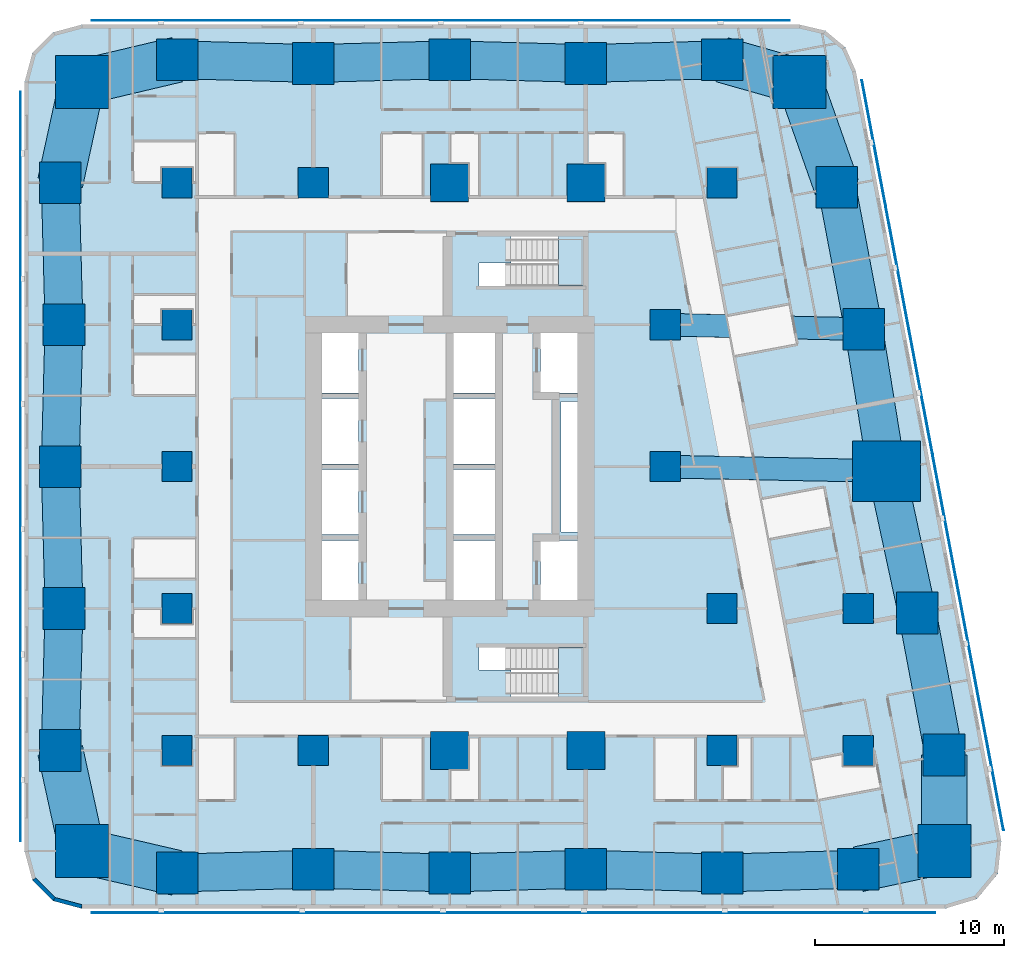
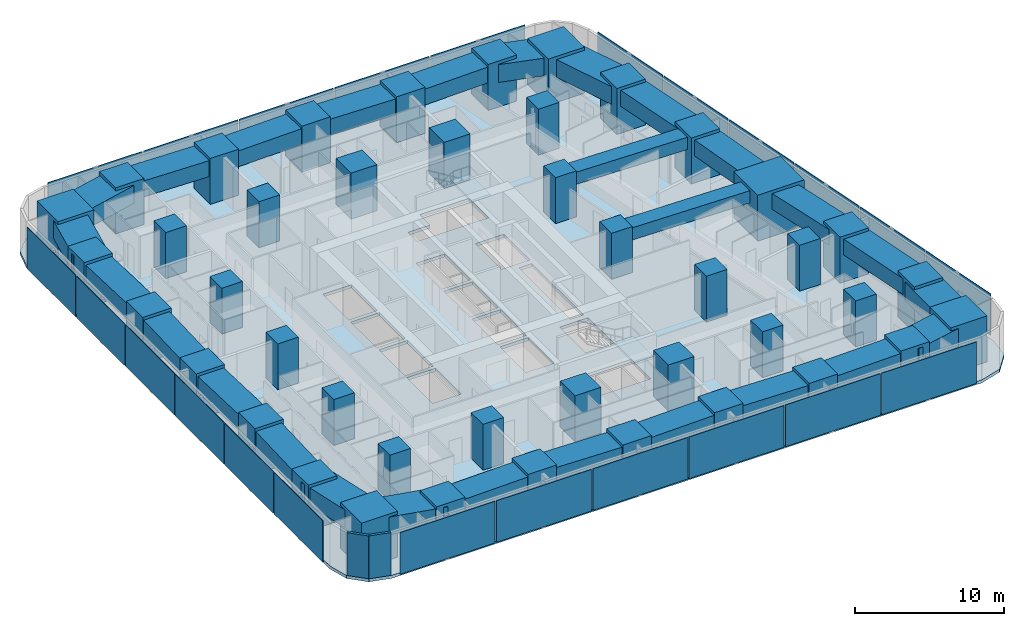
# One storey, part 1 of 15: 43 columns, 27 beams, 23 plates, 3 slabs, 2 walls, 2 elements without a shape of their own.
"""IFC4 building model written with IfcOpenShell, lengths in metres."""

from ifc_helpers import new_model, si_unit, direction, frame, frame_2d, origin, origin_2d, place, context, subcontext, project, spatial, polyline, rectangle, outline, extrude, material, layer, layer_set, material_profile, profile_set, type_object, element, aggregate, save


model = new_model("IFC4")

# Units and contexts
model_context = context("Model", 3, precision=1e-05, world=origin(), true_north=direction((0.0, 1.0)))
body_context = subcontext(model_context, "Body", "Model", "MODEL_VIEW")
ifc_project = project(units=[si_unit("LENGTHUNIT", "METRE"), si_unit("AREAUNIT", "SQUARE_METRE"), si_unit("VOLUMEUNIT", "CUBIC_METRE"), si_unit("PLANEANGLEUNIT", "RADIAN"), si_unit("MASSUNIT", "GRAM", prefix="KILO")], contexts=[model_context])

# Site, building, storey
site_placement = place(None, origin())
site = spatial("IfcSite", under=ifc_project, at=site_placement, CompositionType="ELEMENT")
building_placement = place(site_placement, origin())
building = spatial("IfcBuilding", under=site, at=building_placement, Name="Sheger Commons Tower", CompositionType="ELEMENT")
storey_placement = place(building_placement, frame((0.0, 0.0, 77.89990234375)))
storey = spatial("IfcBuildingStorey", under=building, at=storey_placement, Name="L19", CompositionType="ELEMENT", Elevation=77.89990234375)

# Columns
ifc_material_1 = material(Name="Concrete C50/60", Category="concrete")
ifc_material_profile_1 = material_profile(ifc_material_1, rectangle(XDim=3.60009765625, YDim=3.199951171875, at=origin_2d()), Name="RC 3600x3200")
ifc_profile_set_1 = profile_set([ifc_material_profile_1], Name="Concrete C50/60")
column_type_1 = type_object("IfcColumnType", Name="COLUMN PIER RC 3600x3200", PredefinedType="COLUMN", material=ifc_profile_set_1)
column_placement = place(storey_placement, frame((44.697021484375, 22.262939453125, 0.0), z_axis=(0.0, 0.0, 1.0), x_axis=(1.0, 0.0, 0.0)))
element("IfcColumn", 1, at=column_placement, inside=storey, type_object=column_type_1, Name="Pier 7/D+E/D L19", PredefinedType="COLUMN", context=body_context, shape_type="SweptSolid", body=[
    extrude(rectangle(XDim=3.60009765625, YDim=3.199951171875, at=origin_2d()), origin(), (0.0, 0.0, 1.0), 3.75),
])
ifc_material_2 = material(Name="Concrete C50/60", Category="concrete")
ifc_material_profile_2 = material_profile(ifc_material_2, rectangle(XDim=1.60009765625, YDim=1.60009765625, at=origin_2d()), Name="RC 1600x1600")
ifc_profile_set_2 = profile_set([ifc_material_profile_2], Name="Concrete C50/60")
column_type_2 = type_object("IfcColumnType", Name="COLUMN RC 1600x1600", PredefinedType="COLUMN", material=ifc_profile_set_2)
for number, where, z_axis, x_axis, name in (
    (2, (7.199951171875, 7.5, 0.0), (0.0, 0.0, 1.0), (1.0, 0.0, 0.0), "Column 2/B L19"),
    (3, (14.39990234375, 7.5, 0.0), (0.0, 0.0, 1.0), (1.0, 0.0, 0.0), "Column 3/B L19"),
    (4, (36.0, 7.5, 0.0), (0.0, 0.0, 1.0), (1.0, 0.0, 0.0), "Column 6/B L19"),
    (5, (43.199951171875, 7.5, 0.0), (0.0, 0.0, 1.0), (1.0, 0.0, 0.0), "Column 7/B L19"),
    (6, (7.199951171875, 15.0, 0.0), (0.0, 0.0, 1.0), (1.0, 0.0, 0.0), "Column 2/C L19"),
    (7, (36.0, 15.0, 0.0), (0.0, 0.0, 1.0), (1.0, 0.0, 0.0), "Column 6/C L19"),
    (8, (43.199951171875, 15.0, 0.0), (0.0, 0.0, 1.0), (1.0, 0.0, 0.0), "Column 7/C L19"),
    (9, (7.199951171875, 22.5, 0.0), (0.0, 0.0, 1.0), (1.0, 0.0, 0.0), "Column 2/D L19"),
    (10, (33.0, 22.5, 0.0), (0.0, 0.0, 1.0), (1.0, 0.0, 0.0), "Column 6-3000/D L19"),
    (11, (7.199951171875, 30.0, 0.0), (0.0, 0.0, 1.0), (1.0, 0.0, 0.0), "Column 2/E L19"),
    (12, (33.0, 30.0, 0.0), (0.0, 0.0, 1.0), (1.0, 0.0, 0.0), "Column 6-3000/E L19"),
    (13, (7.199951171875, 37.5, 0.0), (0.0, 0.0, 1.0), (1.0, 0.0, 0.0), "Column 2/F L19"),
    (14, (14.39990234375, 37.5, 0.0), (0.0, 0.0, 1.0), (1.0, 0.0, 0.0), "Column 3/F L19"),
    (15, (36.0, 37.5, 0.0), (0.0, 0.0, 1.0), (1.0, 0.0, 0.0), "Column 6/F L19"),
):
    element("IfcColumn", number, at=place(storey_placement, frame(where, z_axis=z_axis, x_axis=x_axis)), inside=storey, type_object=column_type_2, Name=name, PredefinedType="COLUMN", context=body_context, shape_type="SweptSolid", body=[
        extrude(rectangle(XDim=1.60009765625, YDim=1.60009765625, at=origin_2d()), origin(), (0.0, 0.0, 1.0), 3.75),
    ])
ifc_material_3 = material(Name="Concrete C50/60", Category="concrete")
ifc_material_profile_3 = material_profile(ifc_material_3, rectangle(XDim=2.0, YDim=2.0, at=origin_2d()), Name="RC 2000x2000")
ifc_profile_set_3 = profile_set([ifc_material_profile_3], Name="Concrete C50/60")
column_type_3 = type_object("IfcColumnType", Name="COLUMN RC 2000x2000", PredefinedType="COLUMN", material=ifc_profile_set_3)
for number, where, z_axis, x_axis, name in (
    (16, (21.60009765625, 7.5, 0.0), (0.0, 0.0, 1.0), (1.0, 0.0, 0.0), "Column 4/B L19"),
    (17, (28.800048828125, 7.5, 0.0), (0.0, 0.0, 1.0), (1.0, 0.0, 0.0), "Column 5/B L19"),
    (18, (21.60009765625, 37.5, 0.0), (0.0, 0.0, 1.0), (1.0, 0.0, 0.0), "Column 4/F L19"),
    (19, (28.800048828125, 37.5, 0.0), (0.0, 0.0, 1.0), (1.0, 0.0, 0.0), "Column 5/F L19"),
):
    element("IfcColumn", number, at=place(storey_placement, frame(where, z_axis=z_axis, x_axis=x_axis)), inside=storey, type_object=column_type_3, Name=name, PredefinedType="COLUMN", context=body_context, shape_type="SweptSolid", body=[
        extrude(rectangle(XDim=2.0, YDim=2.0, at=origin_2d()), origin(), (0.0, 0.0, 1.0), 3.75),
    ])
ifc_material_4 = material(Name="Concrete C50/60", Category="concrete")
ifc_material_profile_4 = material_profile(ifc_material_4, rectangle(XDim=2.199951171875, YDim=2.199951171875, at=origin_2d()), Name="RC 2200x2200")
ifc_profile_set_4 = profile_set([ifc_material_profile_4], Name="Concrete C50/60")
column_type_4 = type_object("IfcColumnType", Name="COLUMN RC 2200x2200", PredefinedType="COLUMN", material=ifc_profile_set_4)
for number, where, z_axis, x_axis, name in (
    (20, (7.199951171875, 1.02490234375, 0.0), (0.0, 0.0, 1.0), (1.0, 0.0, 0.0), "Column 2/A L19"),
    (21, (14.39990234375, 1.22509765625, 0.0), (0.0, 0.0, 1.0), (1.0, 0.0, 0.0), "Column 3/A L19"),
    (22, (21.60009765625, 1.02490234375, 0.0), (0.0, 0.0, 1.0), (1.0, 0.0, 0.0), "Column 4/A L19"),
    (23, (28.800048828125, 1.22509765625, 0.0), (0.0, 0.0, 1.0), (1.0, 0.0, 0.0), "Column 5/A L19"),
    (24, (36.0, 1.02490234375, 0.0), (0.0, 0.0, 1.0), (1.0, 0.0, 0.0), "Column 6/A L19"),
    (25, (43.199951171875, 1.22509765625, 0.0), (0.0, 0.0, 1.0), (1.0, 0.0, 0.0), "Column 7/A L19"),
    (26, (1.02490234375, 7.5, 0.0), (0.0, 0.0, 1.0), (1.0, 0.0, 0.0), "Column 1/B L19"),
    (27, (47.72998046875, 7.262939453125, 0.0), (0.0, 0.0, 1.0), (1.0, 0.0, 0.0), "Column E/B L19"),
    (28, (1.22509765625, 15.0, 0.0), (0.0, 0.0, 1.0), (1.0, 0.0, 0.0), "Column 1/C L19"),
    (29, (46.31396484375, 14.762939453125, 0.0), (0.0, 0.0, 1.0), (1.0, 0.0, 0.0), "Column E/C L19"),
    (30, (1.02490234375, 22.5, 0.0), (0.0, 0.0, 1.0), (1.0, 0.0, 0.0), "Column 1/D L19"),
    (31, (1.22509765625, 30.0, 0.0), (0.0, 0.0, 1.0), (1.0, 0.0, 0.0), "Column 1/E L19"),
    (32, (43.47998046875, 29.762939453125, 0.0), (0.0, 0.0, 1.0), (1.0, 0.0, 0.0), "Column E/E L19"),
    (33, (1.02490234375, 37.5, 0.0), (0.0, 0.0, 1.0), (1.0, 0.0, 0.0), "Column 1/F L19"),
    (34, (42.06396484375, 37.262939453125, 0.0), (0.0, 0.0, 1.0), (1.0, 0.0, 0.0), "Column E/F L19"),
    (35, (7.199951171875, 44.0, 0.0), (0.0, 0.0, 1.0), (1.0, 0.0, 0.0), "Column 2/G L19"),
    (36, (14.39990234375, 43.800048828125, 0.0), (0.0, 0.0, 1.0), (1.0, 0.0, 0.0), "Column 3/G L19"),
    (37, (21.60009765625, 44.0, 0.0), (0.0, 0.0, 1.0), (1.0, 0.0, 0.0), "Column 4/G L19"),
    (38, (28.800048828125, 43.800048828125, 0.0), (0.0, 0.0, 1.0), (1.0, 0.0, 0.0), "Column 5/G L19"),
    (39, (36.0, 44.0, 0.0), (0.0, 0.0, 1.0), (1.0, 0.0, 0.0), "Column 6/G L19"),
):
    element("IfcColumn", number, at=place(storey_placement, frame(where, z_axis=z_axis, x_axis=x_axis)), inside=storey, type_object=column_type_4, Name=name, PredefinedType="COLUMN", context=body_context, shape_type="SweptSolid", body=[
        extrude(rectangle(XDim=2.199951171875, YDim=2.199951171875, at=origin_2d()), origin(), (0.0, 0.0, 1.0), 3.75),
    ])
ifc_material_5 = material(Name="Concrete C50/60", Category="concrete")
ifc_material_profile_5 = material_profile(ifc_material_5, rectangle(XDim=2.800048828125, YDim=2.800048828125, at=origin_2d()), Name="RC 2800x2800")
ifc_profile_set_5 = profile_set([ifc_material_profile_5], Name="Concrete C50/60")
column_type_5 = type_object("IfcColumnType", Name="COLUMN RC 2800x2800", PredefinedType="COLUMN", material=ifc_profile_set_5)
for number, where, z_axis, x_axis, name in (
    (40, (2.18603515625, 2.18603515625, 0.0), (0.0, 0.0, 1.0), (1.0, 0.0, 0.0), "Column 0.630,0.630 L19"),
    (41, (47.748046875, 2.197021484375, 0.0), (0.0, 0.0, 1.0), (1.0, 0.0, 0.0), "Column 49.461,0.778 L19"),
    (42, (2.18603515625, 42.81396484375, 0.0), (0.0, 0.0, 1.0), (1.0, 0.0, 0.0), "Column 0.630,44.370 L19"),
    (43, (40.10205078125, 42.830078125, 0.0), (0.0, 0.0, 1.0), (1.0, 0.0, 0.0), "Column 41.490,44.505 L19"),
):
    element("IfcColumn", number, at=place(storey_placement, frame(where, z_axis=z_axis, x_axis=x_axis)), inside=storey, type_object=column_type_5, Name=name, PredefinedType="COLUMN", context=body_context, shape_type="SweptSolid", body=[
        extrude(rectangle(XDim=2.800048828125, YDim=2.800048828125, at=origin_2d()), origin(), (0.0, 0.0, 1.0), 3.75),
    ])

# Beams
ifc_material_6 = material(Name="Concrete C50/60", Category="concrete")
ifc_material_profile_6 = material_profile(ifc_material_6, rectangle(XDim=1.199951171875, YDim=1.0, at=origin_2d()), Name="RC 1200x1000")
ifc_profile_set_6 = profile_set([ifc_material_profile_6], Name="Concrete C50/60")
beam_type_1 = type_object("IfcBeamType", Name="BEAM RC 1200x1000", PredefinedType="BEAM", material=ifc_profile_set_6)
beam_1_placement = place(storey_placement, frame((33.0, 22.5, 3.0), z_axis=(0.999794692776, -0.02026258368, 0.0), x_axis=(0.02026258368, 0.999794692776, 0.0)))
element("IfcBeam", 44, at=beam_1_placement, inside=storey, type_object=beam_type_1, Name="Beam 6-3000/D-7/D under L20", PredefinedType="BEAM", context=body_context, shape_type="SweptSolid", body=[
    extrude(rectangle(XDim=1.199951171875, YDim=1.0, at=origin_2d()), origin(), (0.0, 0.0, 1.0), 11.699462890625),
])
beam_2_placement = place(storey_placement, frame((33.0, 30.0, 3.0), z_axis=(0.999744258625, -0.022614538395, 0.0), x_axis=(0.022614538395, 0.999744258625, 0.0)))
element("IfcBeam", 45, at=beam_2_placement, inside=storey, type_object=beam_type_1, Name="Beam 6-3000/E-E/E under L20", PredefinedType="BEAM", context=body_context, shape_type="SweptSolid", body=[
    extrude(rectangle(XDim=1.199951171875, YDim=1.0, at=origin_2d()), origin(), (0.0, 0.0, 1.0), 10.482666015625),
])
ifc_material_7 = material(Name="Concrete C50/60", Category="concrete")
ifc_material_profile_7 = material_profile(ifc_material_7, rectangle(XDim=2.0, YDim=1.300048828125, at=origin_2d()), Name="RC 2000x1300")
ifc_profile_set_7 = profile_set([ifc_material_profile_7], Name="Concrete C50/60")
beam_type_2 = type_object("IfcBeamType", Name="SPANDREL RC 2000x1300", PredefinedType="SPANDREL", material=ifc_profile_set_7)
beam_3_placement = place(storey_placement, frame((7.199951171875, 1.02490234375, 2.85009765625), z_axis=(0.9996136624, 0.027794350926, 0.0), x_axis=(-0.027794350926, 0.9996136624, 0.0)))
element("IfcBeam", 46, at=beam_3_placement, inside=storey, type_object=beam_type_2, Name="Beam 2/A-3/A under L20", PredefinedType="SPANDREL", context=body_context, shape_type="SweptSolid", body=[
    extrude(rectangle(XDim=2.0, YDim=1.300048828125, at=origin_2d()), origin(), (0.0, 0.0, 1.0), 7.20263671875),
])
beam_4_placement = place(storey_placement, frame((14.39990234375, 1.22509765625, 2.85009765625), z_axis=(0.999613688584, -0.027793409217, 0.0), x_axis=(0.027793409217, 0.999613688584, 0.0)))
element("IfcBeam", 47, at=beam_4_placement, inside=storey, type_object=beam_type_2, Name="Beam 3/A-4/A under L20", PredefinedType="SPANDREL", context=body_context, shape_type="SweptSolid", body=[
    extrude(rectangle(XDim=2.0, YDim=1.300048828125, at=origin_2d()), origin(), (0.0, 0.0, 1.0), 7.202880859375),
])
for number, where, z_axis, x_axis, name in (
    (48, (21.60009765625, 1.02490234375, 2.85009765625), (0.9996136624, 0.027794350926, 0.0), (-0.027794350926, 0.9996136624, 0.0), "Beam 4/A-5/A under L20"),
    (49, (28.800048828125, 1.22509765625, 2.85009765625), (0.9996136624, -0.027794350926, 0.0), (0.027794350926, 0.9996136624, 0.0), "Beam 5/A-6/A under L20"),
    (50, (36.0, 1.02490234375, 2.85009765625), (0.9996136624, 0.027794350926, 0.0), (-0.027794350926, 0.9996136624, 0.0), "Beam 6/A-7/A under L20"),
):
    element("IfcBeam", number, at=place(storey_placement, frame(where, z_axis=z_axis, x_axis=x_axis)), inside=storey, type_object=beam_type_2, Name=name, PredefinedType="SPANDREL", context=body_context, shape_type="SweptSolid", body=[
        extrude(rectangle(XDim=2.0, YDim=1.300048828125, at=origin_2d()), origin(), (0.0, 0.0, 1.0), 7.20263671875),
    ])
beam_5_placement = place(storey_placement, frame((47.72998046875, 7.262939453125, 2.85009765625), z_axis=(-0.18552441405, 0.982639655108, 0.0), x_axis=(-0.982639655108, -0.18552441405, 0.0)))
element("IfcBeam", 51, at=beam_5_placement, inside=storey, type_object=beam_type_2, Name="Beam E/B-E/C under L20", PredefinedType="SPANDREL", context=body_context, shape_type="SweptSolid", body=[
    extrude(rectangle(XDim=2.0, YDim=1.300048828125, at=origin_2d()), origin(), (0.0, 0.0, 1.0), 7.632568359375),
])
beam_6_placement = place(storey_placement, frame((46.31396484375, 14.762939453125, 2.85009765625), z_axis=(-0.210750229323, 0.977539943348, 0.0), x_axis=(-0.977539943348, -0.210750229323, 0.0)))
element("IfcBeam", 52, at=beam_6_placement, inside=storey, type_object=beam_type_2, Name="Beam E/C-E/D under L20", PredefinedType="SPANDREL", context=body_context, shape_type="SweptSolid", body=[
    extrude(rectangle(XDim=2.0, YDim=1.300048828125, at=origin_2d()), origin(), (0.0, 0.0, 1.0), 7.67236328125),
])
beam_7_placement = place(storey_placement, frame((44.697021484375, 22.262939453125, 2.85009765625), z_axis=(-0.160176929512, 0.987088319884, 0.0), x_axis=(-0.987088319884, -0.160176929512, 0.0)))
element("IfcBeam", 53, at=beam_7_placement, inside=storey, type_object=beam_type_2, Name="Beam E/D-E/E under L20", PredefinedType="SPANDREL", context=body_context, shape_type="SweptSolid", body=[
    extrude(rectangle(XDim=2.0, YDim=1.300048828125, at=origin_2d()), origin(), (0.0, 0.0, 1.0), 7.59814453125),
])
beam_8_placement = place(storey_placement, frame((43.47998046875, 29.762939453125, 2.85009765625), z_axis=(-0.18552441405, 0.982639655108, 0.0), x_axis=(-0.982639655108, -0.18552441405, 0.0)))
element("IfcBeam", 54, at=beam_8_placement, inside=storey, type_object=beam_type_2, Name="Beam E/E-E/F under L20", PredefinedType="SPANDREL", context=body_context, shape_type="SweptSolid", body=[
    extrude(rectangle(XDim=2.0, YDim=1.300048828125, at=origin_2d()), origin(), (0.0, 0.0, 1.0), 7.632568359375),
])
for number, where, z_axis, x_axis, name in (
    (55, (36.0, 44.0, 2.85009765625), (-0.999614603568, -0.027760481514, 0.0), (0.027760481514, -0.999614603568, 0.0), "Beam 6/G-5/G under L20"),
    (56, (28.800048828125, 43.800048828125, 2.85009765625), (-0.999614603568, 0.027760481514, 0.0), (-0.027760481514, -0.999614603568, 0.0), "Beam 5/G-4/G under L20"),
):
    element("IfcBeam", number, at=place(storey_placement, frame(where, z_axis=z_axis, x_axis=x_axis)), inside=storey, type_object=beam_type_2, Name=name, PredefinedType="SPANDREL", context=body_context, shape_type="SweptSolid", body=[
        extrude(rectangle(XDim=2.0, YDim=1.300048828125, at=origin_2d()), origin(), (0.0, 0.0, 1.0), 7.20263671875),
    ])
beam_9_placement = place(storey_placement, frame((21.60009765625, 44.0, 2.85009765625), z_axis=(-0.999614629688, -0.027759540951, 0.0), x_axis=(0.027759540951, -0.999614629688, 0.0)))
element("IfcBeam", 57, at=beam_9_placement, inside=storey, type_object=beam_type_2, Name="Beam 4/G-3/G under L20", PredefinedType="SPANDREL", context=body_context, shape_type="SweptSolid", body=[
    extrude(rectangle(XDim=2.0, YDim=1.300048828125, at=origin_2d()), origin(), (0.0, 0.0, 1.0), 7.202880859375),
])
beam_10_placement = place(storey_placement, frame((14.39990234375, 43.800048828125, 2.85009765625), z_axis=(-0.999614603568, 0.027760481514, 0.0), x_axis=(-0.027760481514, -0.999614603568, 0.0)))
element("IfcBeam", 58, at=beam_10_placement, inside=storey, type_object=beam_type_2, Name="Beam 3/G-2/G under L20", PredefinedType="SPANDREL", context=body_context, shape_type="SweptSolid", body=[
    extrude(rectangle(XDim=2.0, YDim=1.300048828125, at=origin_2d()), origin(), (0.0, 0.0, 1.0), 7.20263671875),
])
for number, where, z_axis, x_axis, name in (
    (59, (1.02490234375, 37.5, 2.85009765625), (0.026683204125, -0.999643939919, 0.0), (0.999643939919, 0.026683204125, 0.0), "Beam 1/F-1/E under L20"),
    (60, (1.22509765625, 30.0, 2.85009765625), (-0.026683204125, -0.999643939919, 0.0), (0.999643939919, -0.026683204125, 0.0), "Beam 1/E-1/D under L20"),
    (61, (1.02490234375, 22.5, 2.85009765625), (0.026683204125, -0.999643939919, 0.0), (0.999643939919, 0.026683204125, 0.0), "Beam 1/D-1/C under L20"),
    (62, (1.22509765625, 15.0, 2.85009765625), (-0.026683204125, -0.999643939919, 0.0), (0.999643939919, -0.026683204125, 0.0), "Beam 1/C-1/B under L20"),
):
    element("IfcBeam", number, at=place(storey_placement, frame(where, z_axis=z_axis, x_axis=x_axis)), inside=storey, type_object=beam_type_2, Name=name, PredefinedType="SPANDREL", context=body_context, shape_type="SweptSolid", body=[
        extrude(rectangle(XDim=2.0, YDim=1.300048828125, at=origin_2d()), origin(), (0.0, 0.0, 1.0), 7.502685546875),
    ])
ifc_material_8 = material(Name="Concrete C50/60", Category="concrete")
ifc_material_profile_8 = material_profile(ifc_material_8, rectangle(XDim=2.39990234375, YDim=1.449951171875, at=origin_2d()), Name="RC 2400x1450")
ifc_profile_set_8 = profile_set([ifc_material_profile_8], Name="Concrete C50/60")
beam_type_3 = type_object("IfcBeamType", Name="SPANDREL RC 2400x1450", PredefinedType="SPANDREL", material=ifc_profile_set_8)
beam_11_placement = place(storey_placement, frame((2.18603515625, 2.18603515625, 2.775146484375), z_axis=(0.974217413499, -0.225611239159, 0.0), x_axis=(0.225611239159, 0.974217413499, 0.0)))
element("IfcBeam", 63, at=beam_11_placement, inside=storey, type_object=beam_type_3, Name="Beam 0.630,0.630-2/A under L20", PredefinedType="SPANDREL", context=body_context, shape_type="SweptSolid", body=[
    extrude(rectangle(XDim=2.39990234375, YDim=1.449951171875, at=origin_2d()), origin(), (0.0, 0.0, 1.0), 5.146728515625),
])
beam_12_placement = place(storey_placement, frame((43.199951171875, 1.22509765625, 2.775146484375), z_axis=(0.977919796671, 0.208980552394, 0.0), x_axis=(-0.208980552394, 0.977919796671, 0.0)))
element("IfcBeam", 64, at=beam_12_placement, inside=storey, type_object=beam_type_3, Name="Beam 7/A-49.461,0.778 under L20", PredefinedType="SPANDREL", context=body_context, shape_type="SweptSolid", body=[
    extrude(rectangle(XDim=2.39990234375, YDim=1.449951171875, at=origin_2d()), origin(), (0.0, 0.0, 1.0), 4.65087890625),
])
beam_13_placement = place(storey_placement, frame((47.748046875, 2.197021484375, 2.775146484375), z_axis=(-0.003566242382, 0.999993640937, 0.0), x_axis=(-0.999993640937, -0.003566242382, 0.0)))
element("IfcBeam", 65, at=beam_13_placement, inside=storey, type_object=beam_type_3, Name="Beam 49.461,0.778-E/B under L20", PredefinedType="SPANDREL", context=body_context, shape_type="SweptSolid", body=[
    extrude(rectangle(XDim=2.39990234375, YDim=1.449951171875, at=origin_2d()), origin(), (0.0, 0.0, 1.0), 5.06591796875),
])
beam_14_placement = place(storey_placement, frame((42.06396484375, 37.262939453125, 2.775146484375), z_axis=(-0.332374403357, 0.943147526102, 0.0), x_axis=(-0.943147526102, -0.332374403357, 0.0)))
element("IfcBeam", 66, at=beam_14_placement, inside=storey, type_object=beam_type_3, Name="Beam E/F-41.490,44.505 under L20", PredefinedType="SPANDREL", context=body_context, shape_type="SweptSolid", body=[
    extrude(rectangle(XDim=2.39990234375, YDim=1.449951171875, at=origin_2d()), origin(), (0.0, 0.0, 1.0), 5.90283203125),
])
beam_15_placement = place(storey_placement, frame((40.10205078125, 42.830078125, 2.775146484375), z_axis=(-0.961653428129, 0.274267541221, 0.0), x_axis=(-0.274267541221, -0.961653428129, 0.0)))
element("IfcBeam", 67, at=beam_15_placement, inside=storey, type_object=beam_type_3, Name="Beam 41.490,44.505-6/G under L20", PredefinedType="SPANDREL", context=body_context, shape_type="SweptSolid", body=[
    extrude(rectangle(XDim=2.39990234375, YDim=1.449951171875, at=origin_2d()), origin(), (0.0, 0.0, 1.0), 4.265625),
])
beam_16_placement = place(storey_placement, frame((7.199951171875, 44.0, 2.775146484375), z_axis=(-0.97314428949, -0.230195985701, 0.0), x_axis=(0.230195985701, -0.97314428949, 0.0)))
element("IfcBeam", 68, at=beam_16_placement, inside=storey, type_object=beam_type_3, Name="Beam 2/G-0.630,44.370 under L20", PredefinedType="SPANDREL", context=body_context, shape_type="SweptSolid", body=[
    extrude(rectangle(XDim=2.39990234375, YDim=1.449951171875, at=origin_2d()), origin(), (0.0, 0.0, 1.0), 5.15234375),
])
for number, where, z_axis, x_axis, name in (
    (69, (2.18603515625, 42.81396484375, 2.775146484375), (-0.213469314652, -0.976949769283, 0.0), (0.976949769283, -0.213469314652, 0.0), "Beam 0.630,44.370-1/F under L20"),
    (70, (1.02490234375, 7.5, 2.775146484375), (0.213469314652, -0.976949769283, 0.0), (0.976949769283, 0.213469314652, 0.0), "Beam 1/B-0.630,0.630 under L20"),
):
    element("IfcBeam", number, at=place(storey_placement, frame(where, z_axis=z_axis, x_axis=x_axis)), inside=storey, type_object=beam_type_3, Name=name, PredefinedType="SPANDREL", context=body_context, shape_type="SweptSolid", body=[
        extrude(rectangle(XDim=2.39990234375, YDim=1.449951171875, at=origin_2d()), origin(), (0.0, 0.0, 1.0), 5.439453125),
    ])

# Slab
ifc_material_9 = material(Name="Concrete C35/45", Category="concrete")
ifc_layer_1 = layer(ifc_material_9, 0.25)
ifc_layer_set_1 = layer_set([ifc_layer_1], Name="SLAB FLOOR 250")
slab_type_1 = type_object("IfcSlabType", Name="SLAB FLOOR 250", PredefinedType="FLOOR", material=ifc_layer_set_1)
slab_1_placement = place(storey_placement, frame((0.0, 0.0, -0.25)))
element("IfcSlab", 71, at=slab_1_placement, inside=storey, type_object=slab_type_1, Name="L19 floor slab", PredefinedType="FLOOR", context=body_context, shape_type="SweptSolid", body=[
    extrude(outline(polyline([(-0.85009765625, 2.14990234375), (-0.447998046875, 0.64990234375), (0.64990234375, -0.447998046875), (2.14990234375, -0.85009765625), (47.805908203125, -0.85009765625), (49.465087890625, -0.35009765625), (50.570068359375, 0.98388671875), (50.75390625, 2.70703125), (43.06591796875, 43.406982421875), (42.509033203125, 44.660888671875), (41.452880859375, 45.535888671875), (40.117919921875, 45.85009765625), (2.14990234375, 45.85009765625), (0.64990234375, 45.447998046875), (-0.447998046875, 44.35009765625), (-0.85009765625, 42.85009765625), (-0.85009765625, 2.14990234375)]), holes=[polyline([(24.85009765625, 10.35009765625), (28.64990234375, 10.35009765625), (28.64990234375, 12.949951171875), (23.15087890625, 12.949951171875), (23.15087890625, 11.75), (24.85009765625, 11.75), (24.85009765625, 10.35009765625)]), polyline([(23.15087890625, 32.050048828125), (28.64990234375, 32.050048828125), (28.64990234375, 34.64990234375), (24.85009765625, 34.64990234375), (24.85009765625, 33.25), (23.15087890625, 33.25), (23.15087890625, 32.050048828125)]), polyline([(26.39990234375, 15.14990234375), (28.60009765625, 15.14990234375), (28.60009765625, 18.60009765625), (26.39990234375, 18.60009765625), (26.39990234375, 15.14990234375)]), polyline([(26.39990234375, 26.39990234375), (28.60009765625, 26.39990234375), (28.60009765625, 29.85009765625), (26.39990234375, 29.85009765625), (26.39990234375, 26.39990234375)]), polyline([(14.60009765625, 15.14990234375), (16.800048828125, 15.14990234375), (16.800048828125, 18.60009765625), (14.60009765625, 18.60009765625), (14.60009765625, 15.14990234375)]), polyline([(14.60009765625, 18.89990234375), (16.800048828125, 18.89990234375), (16.800048828125, 22.35009765625), (14.60009765625, 22.35009765625), (14.60009765625, 18.89990234375)]), polyline([(14.60009765625, 22.64990234375), (16.800048828125, 22.64990234375), (16.800048828125, 26.10009765625), (14.60009765625, 26.10009765625), (14.60009765625, 22.64990234375)]), polyline([(14.60009765625, 26.39990234375), (16.800048828125, 26.39990234375), (16.800048828125, 29.85009765625), (14.60009765625, 29.85009765625), (14.60009765625, 26.39990234375)]), polyline([(21.800048828125, 15.14990234375), (24.0, 15.14990234375), (24.0, 18.60009765625), (21.800048828125, 18.60009765625), (21.800048828125, 15.14990234375)]), polyline([(21.800048828125, 18.89990234375), (24.0, 18.89990234375), (24.0, 22.35009765625), (21.800048828125, 22.35009765625), (21.800048828125, 18.89990234375)]), polyline([(21.800048828125, 22.64990234375), (24.0, 22.64990234375), (24.0, 26.10009765625), (21.800048828125, 26.10009765625), (21.800048828125, 22.64990234375)]), polyline([(21.800048828125, 26.39990234375), (24.0, 26.39990234375), (24.0, 29.85009765625), (21.800048828125, 29.85009765625), (21.800048828125, 26.39990234375)]), polyline([(27.5, 19.050048828125), (28.5, 19.050048828125), (28.5, 25.949951171875), (27.5, 25.949951171875), (27.5, 19.050048828125)])]), origin(), (0.0, 0.0, 1.0), 0.25),
])

# Plates
ifc_material_10 = material(Name="Perforated black anodised aluminium screen", Category="aluminium")
ifc_layer_2 = layer(ifc_material_10, 0.050048828125)
ifc_layer_set_2 = layer_set([ifc_layer_2], Name="SOLAR SCREEN SCREEN-1")
plate_type = type_object("IfcPlateType", Name="SOLAR SCREEN SCREEN-1", PredefinedType="USERDEFINED", material=ifc_layer_set_2)
for number, where, z_axis, x_axis, name in (
    (72, (6.37109375, -1.074951171875, 0.050048828125), (0.0, 0.0, 1.0), (1.0, 0.0, 0.0), "Perforated solar screen panel"),
    (73, (13.81396484375, -1.074951171875, 0.050048828125), (0.0, 0.0, 1.0), (1.0, 0.0, 0.0), "Perforated solar screen panel"),
    (74, (21.257080078125, -1.074951171875, 0.050048828125), (0.0, 0.0, 1.0), (1.0, 0.0, 0.0), "Perforated solar screen panel"),
    (75, (28.698974609375, -1.074951171875, 0.050048828125), (0.0, 0.0, 1.0), (1.0, 0.0, 0.0), "Perforated solar screen panel"),
    (76, (36.14208984375, -1.074951171875, 0.050048828125), (0.0, 0.0, 1.0), (1.0, 0.0, 0.0), "Perforated solar screen panel"),
    (77, (43.5849609375, -1.074951171875, 0.050048828125), (0.0, 0.0, 1.0), (1.0, 0.0, 0.0), "Perforated solar screen panel"),
):
    element("IfcPlate", number, at=place(storey_placement, frame(where, z_axis=z_axis, x_axis=x_axis)), inside=storey, type_object=plate_type, Name=name, ObjectType="SCREEN", PredefinedType="USERDEFINED", context=body_context, shape_type="SweptSolid", body=[
        extrude(rectangle(XDim=7.343017578125, YDim=0.050048828125, at=origin_2d()), origin(), (0.0, 0.0, 1.0), 3.39990234375),
    ])
for number, where, z_axis, x_axis, name in (
    (78, (50.257080078125, 6.550048828125, 0.050048828125), (0.0, 0.0, 1.0), (-0.185615165645, 0.982622516678, 0.0), "Perforated solar screen panel"),
    (79, (49.007080078125, 13.1689453125, 0.050048828125), (0.0, 0.0, 1.0), (-0.185615165645, 0.982622516678, 0.0), "Perforated solar screen panel"),
    (80, (47.756103515625, 19.7890625, 0.050048828125), (0.0, 0.0, 1.0), (-0.185615165645, 0.982622516678, 0.0), "Perforated solar screen panel"),
    (81, (46.506103515625, 26.408935546875, 0.050048828125), (0.0, 0.0, 1.0), (-0.185615165645, 0.982622516678, 0.0), "Perforated solar screen panel"),
    (82, (45.2548828125, 33.028076171875, 0.050048828125), (0.0, 0.0, 1.0), (-0.185615165645, 0.982622516678, 0.0), "Perforated solar screen panel"),
    (83, (44.0048828125, 39.64794921875, 0.050048828125), (0.0, 0.0, 1.0), (-0.185615165645, 0.982622516678, 0.0), "Perforated solar screen panel"),
):
    element("IfcPlate", number, at=place(storey_placement, frame(where, z_axis=z_axis, x_axis=x_axis)), inside=storey, type_object=plate_type, Name=name, ObjectType="SCREEN", PredefinedType="USERDEFINED", context=body_context, shape_type="SweptSolid", body=[
        extrude(rectangle(XDim=6.636962890625, YDim=0.050048828125, at=origin_2d()), origin(), (0.0, 0.0, 1.0), 3.39990234375),
    ])
for number, where, z_axis, x_axis, name in (
    (84, (35.9208984375, 46.074951171875, 0.050048828125), (0.0, 0.0, 1.0), (-1.0, 0.0, 0.0), "Perforated solar screen panel"),
    (85, (28.528076171875, 46.074951171875, 0.050048828125), (0.0, 0.0, 1.0), (-1.0, 0.0, 0.0), "Perforated solar screen panel"),
    (86, (21.134033203125, 46.074951171875, 0.050048828125), (0.0, 0.0, 1.0), (-1.0, 0.0, 0.0), "Perforated solar screen panel"),
    (87, (13.739990234375, 46.074951171875, 0.050048828125), (0.0, 0.0, 1.0), (-1.0, 0.0, 0.0), "Perforated solar screen panel"),
    (88, (6.346923828125, 46.074951171875, 0.050048828125), (0.0, 0.0, 1.0), (-1.0, 0.0, 0.0), "Perforated solar screen panel"),
):
    element("IfcPlate", number, at=place(storey_placement, frame(where, z_axis=z_axis, x_axis=x_axis)), inside=storey, type_object=plate_type, Name=name, ObjectType="SCREEN", PredefinedType="USERDEFINED", context=body_context, shape_type="SweptSolid", body=[
        extrude(rectangle(XDim=7.2939453125, YDim=0.050048828125, at=origin_2d()), origin(), (0.0, 0.0, 1.0), 3.39990234375),
    ])
for number, where, z_axis, x_axis, name in (
    (89, (-1.074951171875, 39.0419921875, 0.050048828125), (0.0, 0.0, 1.0), (0.0, -1.0, 0.0), "Perforated solar screen panel"),
    (90, (-1.074951171875, 32.425048828125, 0.050048828125), (0.0, 0.0, 1.0), (0.0, -1.0, 0.0), "Perforated solar screen panel"),
    (91, (-1.074951171875, 25.80810546875, 0.050048828125), (0.0, 0.0, 1.0), (0.0, -1.0, 0.0), "Perforated solar screen panel"),
    (92, (-1.074951171875, 19.19189453125, 0.050048828125), (0.0, 0.0, 1.0), (0.0, -1.0, 0.0), "Perforated solar screen panel"),
    (93, (-1.074951171875, 12.574951171875, 0.050048828125), (0.0, 0.0, 1.0), (0.0, -1.0, 0.0), "Perforated solar screen panel"),
    (94, (-1.074951171875, 5.9580078125, 0.050048828125), (0.0, 0.0, 1.0), (0.0, -1.0, 0.0), "Perforated solar screen panel"),
):
    element("IfcPlate", number, at=place(storey_placement, frame(where, z_axis=z_axis, x_axis=x_axis)), inside=storey, type_object=plate_type, Name=name, ObjectType="SCREEN", PredefinedType="USERDEFINED", context=body_context, shape_type="SweptSolid", body=[
        extrude(rectangle(XDim=6.51708984375, YDim=0.050048828125, at=origin_2d()), origin(), (0.0, 0.0, 1.0), 3.39990234375),
    ])

# Stair, slab
ifc_material_11 = material(Name="Concrete C35/45", Category="concrete")
stair_type = type_object("IfcStairType", Name="HALF-TURN STAIR 1200 RISE 3750", PredefinedType="HALF_TURN_STAIR", material=ifc_material_11)
stair_1_placement = place(storey_placement, origin())
stair_1 = element("IfcStair", 95, at=stair_1_placement, inside=storey, type_object=stair_type, Name="Stair S1 L19", PredefinedType="HALF_TURN_STAIR")
ifc_material_12 = material(Name="Concrete C35/45", Category="concrete")
ifc_layer_3 = layer(ifc_material_12, 0.199951171875)
ifc_layer_set_3 = layer_set([ifc_layer_3], Name="STAIR LANDING 200")
slab_type_2 = type_object("IfcSlabType", Name="STAIR LANDING 200", PredefinedType="LANDING", material=ifc_layer_set_3)
slab_2_placement = place(storey_placement, frame((0.0, 0.0, 1.675048828125)))
slab_2 = element("IfcSlab", 96, at=slab_2_placement, type_object=slab_type_2, Name="S1 landing 1", PredefinedType="LANDING", context=body_context, shape_type="SweptSolid", body=[
    extrude(outline(polyline([(27.35009765625, 10.199951171875), (28.800048828125, 10.199951171875), (28.800048828125, 12.949951171875), (27.35009765625, 12.949951171875), (27.35009765625, 10.199951171875)])), origin(), (0.0, 0.0, 1.0), 0.199951171875),
])
aggregate(stair_1, [slab_2])

stair_2_placement = place(storey_placement, origin())
stair_2 = element("IfcStair", 97, at=stair_2_placement, inside=storey, type_object=stair_type, Name="Stair S2 L19", PredefinedType="HALF_TURN_STAIR")
slab_3_placement = place(storey_placement, frame((0.0, 0.0, 1.675048828125)))
slab_3 = element("IfcSlab", 98, at=slab_3_placement, type_object=slab_type_2, Name="S2 landing 1", PredefinedType="LANDING", context=body_context, shape_type="SweptSolid", body=[
    extrude(outline(polyline([(27.35009765625, 32.050048828125), (28.800048828125, 32.050048828125), (28.800048828125, 34.800048828125), (27.35009765625, 34.800048828125), (27.35009765625, 32.050048828125)])), origin(), (0.0, 0.0, 1.0), 0.199951171875),
])
aggregate(stair_2, [slab_3])

# Walls
ifc_material_13 = material(Name="Rendered concrete block masonry, dark grey", Category="masonry")
ifc_layer_4 = layer(ifc_material_13, 0.199951171875)
ifc_layer_set_4 = layer_set([ifc_layer_4], Name="FACADE WALL 200")
wall_type = type_object("IfcWallType", Name="FACADE WALL 200", PredefinedType="SOLIDWALL", material=ifc_layer_set_4)
wall_1_placement = place(storey_placement, frame((-0.35791015625, 0.701904296875, 0.0), z_axis=(0.0, 0.0, 1.0), x_axis=(0.707106781187, -0.707106781187, 0.0)))
element("IfcWall", 99, at=wall_1_placement, inside=storey, type_object=wall_type, Name="Facade wall L19", PredefinedType="SOLIDWALL", context=body_context, shape_type="SweptSolid", body=[
    extrude(rectangle(XDim=1.498779296875, YDim=0.199951171875, at=frame_2d((0.74951171875, 0.0))), origin(), (0.0, 0.0, 1.0), 3.5),
])
wall_2_placement = place(storey_placement, frame((0.701904296875, -0.35791015625, 0.0), z_axis=(0.0, 0.0, 1.0), x_axis=(0.965832000415, -0.259168954497, 0.0)))
element("IfcWall", 100, at=wall_2_placement, inside=storey, type_object=wall_type, Name="Facade wall L19", PredefinedType="SOLIDWALL", context=body_context, shape_type="SweptSolid", body=[
    extrude(rectangle(XDim=1.512939453125, YDim=0.199951171875, at=frame_2d((0.75634765625, 0.0))), origin(), (0.0, 0.0, 1.0), 3.5),
])

save(model, "model.ifc")
